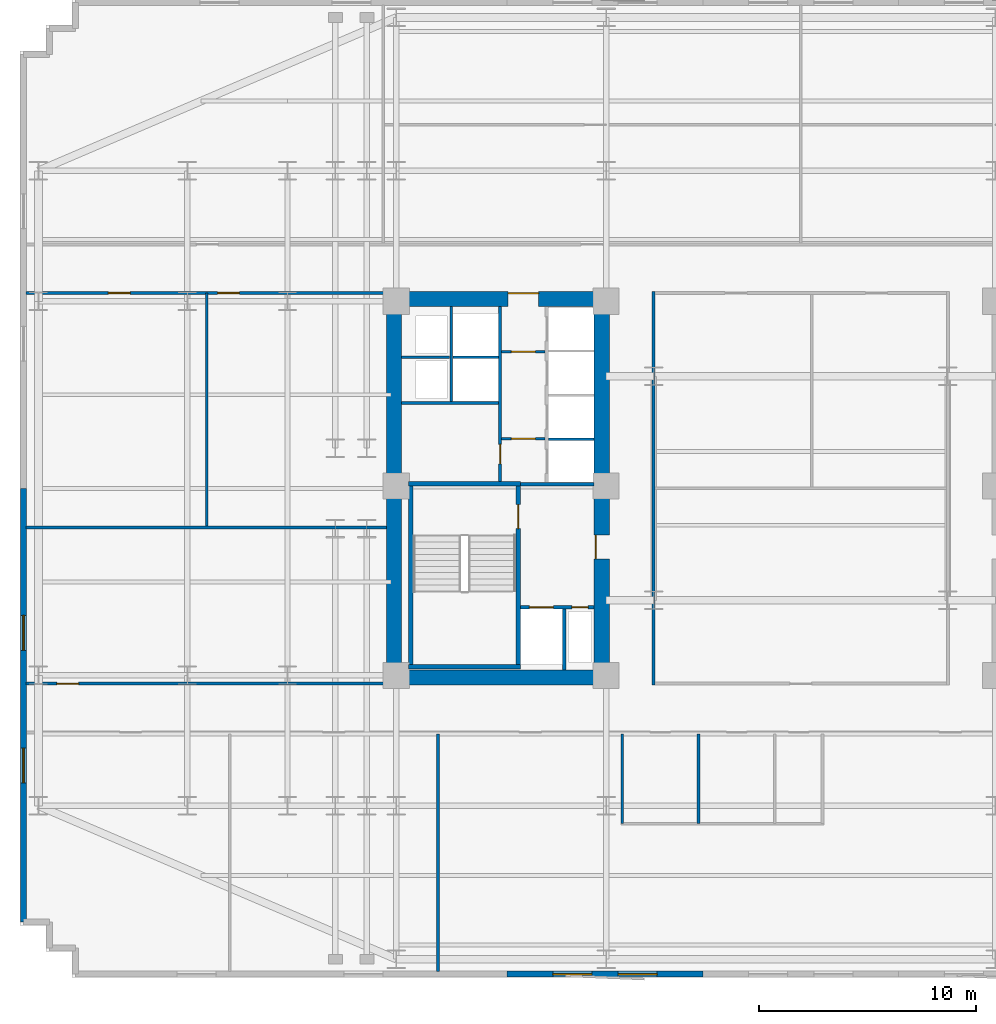
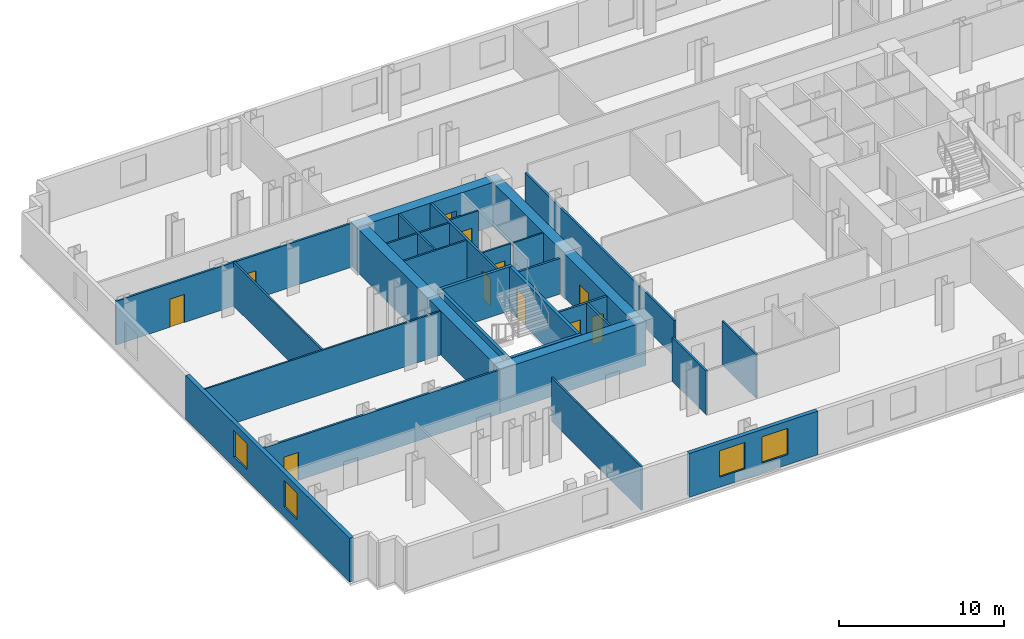
# One storey, part 4 of 10: 29 walls, 11 doors, 4 windows, 15 openings.
"""IFC4 building model written with IfcOpenShell, lengths in metres."""

from ifc_helpers import new_model, si_unit, direction, frame, frame_2d, origin, place, context, subcontext, project, spatial, rectangle, extrude, material, layer, layer_set, type_object, element, fill, save


model = new_model("IFC4")

# Units and contexts
model_context = context("Model", 3, precision=1e-05, world=origin(), true_north=direction((0.0, 1.0)))
body_context = subcontext(model_context, "Body", "Model", "MODEL_VIEW")
ifc_project = project(units=[si_unit("LENGTHUNIT", "METRE"), si_unit("AREAUNIT", "SQUARE_METRE"), si_unit("VOLUMEUNIT", "CUBIC_METRE"), si_unit("PLANEANGLEUNIT", "RADIAN"), si_unit("MASSUNIT", "GRAM", prefix="KILO")], contexts=[model_context])

# Site, building, storey
site_placement = place(None, origin())
site = spatial("IfcSite", under=ifc_project, at=site_placement, CompositionType="ELEMENT")
building_placement = place(site_placement, origin())
building = spatial("IfcBuilding", under=site, at=building_placement, Name="Velakula Bourse", CompositionType="ELEMENT")
storey_placement = place(building_placement, frame((0.0, 0.0, 51.89990234375)))
storey = spatial("IfcBuildingStorey", under=building, at=storey_placement, Name="L13", CompositionType="ELEMENT", Elevation=51.89990234375)

# Wall, opening, door
ifc_material_1 = material(Name="Concrete M50 (fck 50 MPa)", Category="concrete")
ifc_layer_1 = layer(ifc_material_1, 0.2099609375, Name="Concrete M50 (fck 50 MPa)", Category="concrete")
ifc_layer_set_1 = layer_set([ifc_layer_1], Name="Concrete M50 (fck 50 MPa)")
wall_type_1 = type_object("IfcWallType", Name="WL-CORE-210", PredefinedType="SHEAR", material=ifc_layer_set_1)
wall_1_placement = place(storey_placement, frame((-12.9951171875, -8.10009765625, 0.0), z_axis=(0.0, 0.0, 1.0), x_axis=(0.0, 1.0, 0.0)))
wall_1 = element("IfcWall", 1, at=wall_1_placement, inside=storey, type_object=wall_type_1, Name="L13 Core W Stairwell Shear Wall IN", PredefinedType="SHEAR", context=body_context, shape_type="SweptSolid", body=[
    extrude(rectangle(XDim=8.2001953125, YDim=0.2099609375, at=frame_2d((4.10009765625, 0.0))), origin(), (0.0, 0.0, 1.0), 3.27001953125),
])
opening_1_placement = place(wall_1_placement, frame((6.25, 0.0, 0.0)))
opening_1 = element("IfcOpeningElement", 2, at=opening_1_placement, cuts=wall_1, Name="Opening D-STW1", PredefinedType="OPENING", context=body_context, shape_type="SweptSolid", body=[
    extrude(rectangle(XDim=1.10009765625, YDim=2.14990234375, at=frame_2d((0.550048828125, 1.074951171875))), frame((0.0, 0.114990234375, 0.0), z_axis=(0.0, -1.0, 0.0), x_axis=(1.0, 0.0, 0.0)), (0.0, 0.0, 1.0), 0.22998046875),
])
ifc_material_2 = material(Name="Galvanised painted hollow steel fire door", Category="steel")
door_type_1 = type_object("IfcDoorType", Name="DR-FD120-1100x2150", OperationType="NOTDEFINED", PredefinedType="DOOR", material=ifc_material_2)
door_1_placement = place(opening_1_placement, origin())
door_1 = element("IfcDoor", 3, at=door_1_placement, inside=storey, type_object=door_type_1, Name="L13 Stair ST-W1 Fire Door", OperationType="SINGLE_SWING_LEFT", OverallHeight=2.14990234375, OverallWidth=1.10009765625, PredefinedType="DOOR", context=body_context, shape_type="SweptSolid", body=[
    extrude(rectangle(XDim=1.10009765625, YDim=2.14990234375, at=frame_2d((0.550048828125, 1.074951171875))), frame((0.0, 0.02490234375, 0.0), z_axis=(0.0, -1.0, 0.0), x_axis=(1.0, 0.0, 0.0)), (0.0, 0.0, 1.0), 0.050048828125),
])
fill(opening_1, door_1)

# Walls
wall_2_placement = place(storey_placement, frame((-17.925048828125, -8.10009765625, 0.0), z_axis=(0.0, 0.0, 1.0), x_axis=(0.0, 1.0, 0.0)))
element("IfcWall", 4, at=wall_2_placement, inside=storey, type_object=wall_type_1, Name="L13 Core W Stairwell Shear Wall OUT", PredefinedType="SHEAR", context=body_context, shape_type="SweptSolid", body=[
    extrude(rectangle(XDim=8.2001953125, YDim=0.2099609375, at=frame_2d((4.10009765625, 0.0))), origin(), (0.0, 0.0, 1.0), 3.27001953125),
])
for number, where, z_axis, x_axis, name in (
    (5, (-18.030029296875, -8.205078125, 0.0), (0.0, 0.0, 1.0), (1.0, 0.0, 0.0), "L13 Core W Stairwell Shear Wall S"),
    (6, (-12.889892578125, 0.205078125, 0.0), (0.0, 0.0, 1.0), (-1.0, 0.0, 0.0), "L13 Core W Stairwell Shear Wall N"),
):
    element("IfcWall", number, at=place(storey_placement, frame(where, z_axis=z_axis, x_axis=x_axis)), inside=storey, type_object=wall_type_1, Name=name, PredefinedType="SHEAR", context=body_context, shape_type="SweptSolid", body=[
        extrude(rectangle(XDim=5.14013671875, YDim=0.2099609375, at=frame_2d((2.570068359375, 0.0))), origin(), (0.0, 0.0, 1.0), 3.27001953125),
    ])
ifc_material_3 = material(Name="Concrete M70 (fck 70 MPa)", Category="concrete")
ifc_layer_2 = layer(ifc_material_3, 0.699951171875, Name="Concrete M70 (fck 70 MPa)", Category="concrete")
ifc_layer_set_2 = layer_set([ifc_layer_2], Name="Concrete M70 (fck 70 MPa)")
wall_type_2 = type_object("IfcWallType", Name="WL-CORE-700", PredefinedType="SHEAR", material=ifc_layer_set_2)
wall_3_placement = place(storey_placement, frame((-19.050048828125, -8.699951171875, 0.0), z_axis=(0.0, 0.0, 1.0), x_axis=(1.0, 0.0, 0.0)))
element("IfcWall", 7, at=wall_3_placement, inside=storey, type_object=wall_type_2, Name="L13 Core W Shear Wall S", PredefinedType="SHEAR", context=body_context, shape_type="SweptSolid", body=[
    extrude(rectangle(XDim=10.25, YDim=0.699951171875, at=frame_2d((5.125, 0.0))), origin(), (0.0, 0.0, 1.0), 3.27001953125),
])

# Wall, opening, door
wall_4_placement = place(storey_placement, frame((-19.050048828125, 8.699951171875, 0.0), z_axis=(0.0, 0.0, 1.0), x_axis=(1.0, 0.0, 0.0)))
wall_4 = element("IfcWall", 8, at=wall_4_placement, inside=storey, type_object=wall_type_2, Name="L13 Core W Shear Wall N", PredefinedType="SHEAR", context=body_context, shape_type="SweptSolid", body=[
    extrude(rectangle(XDim=10.25, YDim=0.699951171875, at=frame_2d((5.125, 0.0))), origin(), (0.0, 0.0, 1.0), 3.27001953125),
])
opening_2_placement = place(wall_4_placement, frame((5.60009765625, 0.0, 0.0)))
opening_2 = element("IfcOpeningElement", 9, at=opening_2_placement, cuts=wall_4, Name="Opening D-LLW", PredefinedType="OPENING", context=body_context, shape_type="SweptSolid", body=[
    extrude(rectangle(XDim=1.39990234375, YDim=2.050048828125, at=frame_2d((0.699951171875, 1.02490234375))), frame((0.0, 0.35986328125, 0.0), z_axis=(0.0, -1.0, 0.0), x_axis=(1.0, 0.0, 0.0)), (0.0, 0.0, 1.0), 0.719970703125),
])
ifc_material_4 = material(Name="Fire-rated hardwood flush architectural door", Category="wood")
door_type_2 = type_object("IfcDoorType", Name="DR-DBL-FD60-1400", OperationType="DOUBLE_DOOR_SINGLE_SWING", PredefinedType="DOOR", material=ifc_material_4)
door_2_placement = place(opening_2_placement, origin())
door_2 = element("IfcDoor", 10, at=door_2_placement, inside=storey, type_object=door_type_2, Name="L13 Core W Lift Lobby Corridor Double Door", OperationType="DOUBLE_DOOR_SINGLE_SWING", OverallHeight=2.050048828125, OverallWidth=1.39990234375, PredefinedType="DOOR", context=body_context, shape_type="SweptSolid", body=[
    extrude(rectangle(XDim=1.39990234375, YDim=2.050048828125, at=frame_2d((0.699951171875, 1.02490234375))), frame((0.0, 0.294921875, 0.0), z_axis=(0.0, -1.0, 0.0), x_axis=(1.0, 0.0, 0.0)), (0.0, 0.0, 1.0), 0.050048828125),
])
fill(opening_2, door_2)

# Wall
wall_5_placement = place(storey_placement, frame((-18.699951171875, -8.35009765625, 0.0), z_axis=(0.0, 0.0, 1.0), x_axis=(0.0, 1.0, 0.0)))
element("IfcWall", 11, at=wall_5_placement, inside=storey, type_object=wall_type_2, Name="L13 Core W Shear Wall W", PredefinedType="SHEAR", context=body_context, shape_type="SweptSolid", body=[
    extrude(rectangle(XDim=16.7001953125, YDim=0.699951171875, at=frame_2d((8.35009765625, 0.0))), origin(), (0.0, 0.0, 1.0), 3.27001953125),
])

# Wall, opening, door
wall_6_placement = place(storey_placement, frame((-9.14990234375, -8.35009765625, 0.0), z_axis=(0.0, 0.0, 1.0), x_axis=(0.0, 1.0, 0.0)))
wall_6 = element("IfcWall", 12, at=wall_6_placement, inside=storey, type_object=wall_type_2, Name="L13 Core W Shear Wall E", PredefinedType="SHEAR", context=body_context, shape_type="SweptSolid", body=[
    extrude(rectangle(XDim=16.7001953125, YDim=0.699951171875, at=frame_2d((8.35009765625, 0.0))), origin(), (0.0, 0.0, 1.0), 3.27001953125),
])
opening_3_placement = place(wall_6_placement, frame((5.10009765625, 0.0, 0.0)))
opening_3 = element("IfcOpeningElement", 13, at=opening_3_placement, cuts=wall_6, Name="Opening D-FLW", PredefinedType="OPENING", context=body_context, shape_type="SweptSolid", body=[
    extrude(rectangle(XDim=1.10009765625, YDim=2.080078125, at=frame_2d((0.550048828125, 1.0400390625))), frame((0.0, 0.35986328125, 0.0), z_axis=(0.0, -1.0, 0.0), x_axis=(1.0, 0.0, 0.0)), (0.0, 0.0, 1.0), 0.719970703125),
])
door_type_3 = type_object("IfcDoorType", Name="DR-FD120-1100", OperationType="NOTDEFINED", PredefinedType="DOOR", material=ifc_material_2)
door_3_placement = place(opening_3_placement, origin())
door_3 = element("IfcDoor", 14, at=door_3_placement, inside=storey, type_object=door_type_3, Name="L13 Firefighting Lobby W Corridor Fire Door", OperationType="SINGLE_SWING_LEFT", OverallHeight=2.080078125, OverallWidth=1.10009765625, PredefinedType="DOOR", context=body_context, shape_type="SweptSolid", body=[
    extrude(rectangle(XDim=1.10009765625, YDim=2.080078125, at=frame_2d((0.550048828125, 1.0400390625))), frame((0.0, 0.30517578125, 0.0), z_axis=(0.0, -1.0, 0.0), x_axis=(1.0, 0.0, 0.0)), (0.0, 0.0, 1.0), 0.050048828125),
])
fill(opening_3, door_3)

# Wall, openings, windows
ifc_material_5 = material(Name="Red kilned clay facing brick masonry", Category="masonry")
ifc_layer_3 = layer(ifc_material_5, 0.280029296875, Name="Red kilned clay facing brick masonry", Category="masonry")
ifc_layer_set_3 = layer_set([ifc_layer_3], Name="Red kilned clay facing brick masonry")
wall_type_3 = type_object("IfcWallType", Name="WL-EXT-BRK-280", PredefinedType="STANDARD", material=ifc_layer_set_3)
wall_7_placement = place(storey_placement, frame((-4.5, -22.340087890625, 0.0), z_axis=(0.0, 0.0, 1.0), x_axis=(-1.0, 0.0, 0.0)))
wall_7 = element("IfcWall", 15, at=wall_7_placement, inside=storey, type_object=wall_type_3, Name="L13 S Brick Spandrel Wall B2", PredefinedType="STANDARD", context=body_context, shape_type="SweptSolid", body=[
    extrude(rectangle(XDim=9.0, YDim=0.280029296875, at=frame_2d((4.5, 0.0))), origin(), (0.0, 0.0, 1.0), 3.25),
])
opening_4_placement = place(wall_7_placement, frame((2.10009765625, 0.0, 0.760009765625)))
opening_4 = element("IfcOpeningElement", 16, at=opening_4_placement, cuts=wall_7, Name="Opening W-01", PredefinedType="OPENING", context=body_context, shape_type="SweptSolid", body=[
    extrude(rectangle(XDim=1.800048828125, YDim=1.949951171875, at=frame_2d((0.89990234375, 0.97509765625))), frame((0.0, 0.14990234375, 0.0), z_axis=(0.0, -1.0, 0.0), x_axis=(1.0, 0.0, 0.0)), (0.0, 0.0, 1.0), 0.300048828125),
])
opening_5_placement = place(wall_7_placement, frame((5.10009765625, 0.0, 0.760009765625)))
opening_5 = element("IfcOpeningElement", 17, at=opening_5_placement, cuts=wall_7, Name="Opening W-01", PredefinedType="OPENING", context=body_context, shape_type="SweptSolid", body=[
    extrude(rectangle(XDim=1.800048828125, YDim=1.949951171875, at=frame_2d((0.89990234375, 0.97509765625))), frame((0.0, 0.14990234375, 0.0), z_axis=(0.0, -1.0, 0.0), x_axis=(1.0, 0.0, 0.0)), (0.0, 0.0, 1.0), 0.300048828125),
])
ifc_material_6 = material(Name="Double-glazed solar-control Low-E glass", Category="glass")
window_type_1 = type_object("IfcWindowType", Name="WIN-TWR-1800x2100", PartitioningType="SINGLE_PANEL", PredefinedType="WINDOW", material=ifc_material_6)
window_1_placement = place(opening_4_placement, origin())
window_1 = element("IfcWindow", 18, at=window_1_placement, inside=storey, type_object=window_type_1, Name="L13 Deep-Set Recessed Window 1", OverallHeight=1.949951171875, OverallWidth=1.800048828125, PartitioningType="SINGLE_PANEL", PredefinedType="WINDOW", context=body_context, shape_type="SweptSolid", body=[
    extrude(rectangle(XDim=1.800048828125, YDim=1.949951171875, at=frame_2d((0.89990234375, 0.97509765625))), frame((0.0, 0.030029296875, 0.0), z_axis=(0.0, -1.0, 0.0), x_axis=(1.0, 0.0, 0.0)), (0.0, 0.0, 1.0), 0.06005859375),
])
fill(opening_4, window_1)
window_2_placement = place(opening_5_placement, origin())
window_2 = element("IfcWindow", 19, at=window_2_placement, inside=storey, type_object=window_type_1, Name="L13 Deep-Set Recessed Window 2", OverallHeight=1.949951171875, OverallWidth=1.800048828125, PartitioningType="SINGLE_PANEL", PredefinedType="WINDOW", context=body_context, shape_type="SweptSolid", body=[
    extrude(rectangle(XDim=1.800048828125, YDim=1.949951171875, at=frame_2d((0.89990234375, 0.97509765625))), frame((0.0, 0.030029296875, 0.0), z_axis=(0.0, -1.0, 0.0), x_axis=(1.0, 0.0, 0.0)), (0.0, 0.0, 1.0), 0.06005859375),
])
fill(opening_5, window_2)

wall_8_placement = place(storey_placement, frame((-35.739990234375, -19.93994140625, 0.0), z_axis=(0.0, 0.0, 1.0), x_axis=(0.0, 1.0, 0.0)))
wall_8 = element("IfcWall", 20, at=wall_8_placement, inside=storey, type_object=wall_type_3, Name="L13 W Brick End Wall W1", PredefinedType="STANDARD", context=body_context, shape_type="SweptSolid", body=[
    extrude(rectangle(XDim=19.93994140625, YDim=0.280029296875, at=frame_2d((9.969970703125, 0.0))), origin(), (0.0, 0.0, 1.0), 3.25),
])
opening_6_placement = place(wall_8_placement, frame((6.396728515625, 0.0, 0.760009765625)))
opening_6 = element("IfcOpeningElement", 21, at=opening_6_placement, cuts=wall_8, Name="Opening W-02", PredefinedType="OPENING", context=body_context, shape_type="SweptSolid", body=[
    extrude(rectangle(XDim=1.60009765625, YDim=1.949951171875, at=frame_2d((0.800048828125, 0.97509765625))), frame((0.0, 0.14990234375, 0.0), z_axis=(0.0, -1.0, 0.0), x_axis=(1.0, 0.0, 0.0)), (0.0, 0.0, 1.0), 0.300048828125),
])
opening_7_placement = place(wall_8_placement, frame((12.493408203125, 0.0, 0.760009765625)))
opening_7 = element("IfcOpeningElement", 22, at=opening_7_placement, cuts=wall_8, Name="Opening W-02", PredefinedType="OPENING", context=body_context, shape_type="SweptSolid", body=[
    extrude(rectangle(XDim=1.60009765625, YDim=1.949951171875, at=frame_2d((0.800048828125, 0.97509765625))), frame((0.0, 0.14990234375, 0.0), z_axis=(0.0, -1.0, 0.0), x_axis=(1.0, 0.0, 0.0)), (0.0, 0.0, 1.0), 0.300048828125),
])
window_type_2 = type_object("IfcWindowType", Name="WIN-TWR-1600x2100", PartitioningType="SINGLE_PANEL", PredefinedType="WINDOW", material=ifc_material_6)
window_3_placement = place(opening_6_placement, origin())
window_3 = element("IfcWindow", 23, at=window_3_placement, inside=storey, type_object=window_type_2, Name="L13 Deep-Set Recessed Window 1", OverallHeight=1.949951171875, OverallWidth=1.60009765625, PartitioningType="SINGLE_PANEL", PredefinedType="WINDOW", context=body_context, shape_type="SweptSolid", body=[
    extrude(rectangle(XDim=1.60009765625, YDim=1.949951171875, at=frame_2d((0.800048828125, 0.97509765625))), frame((0.0, 0.030029296875, 0.0), z_axis=(0.0, -1.0, 0.0), x_axis=(1.0, 0.0, 0.0)), (0.0, 0.0, 1.0), 0.06005859375),
])
fill(opening_6, window_3)
window_4_placement = place(opening_7_placement, origin())
window_4 = element("IfcWindow", 24, at=window_4_placement, inside=storey, type_object=window_type_2, Name="L13 Deep-Set Recessed Window 2", OverallHeight=1.949951171875, OverallWidth=1.60009765625, PartitioningType="SINGLE_PANEL", PredefinedType="WINDOW", context=body_context, shape_type="SweptSolid", body=[
    extrude(rectangle(XDim=1.60009765625, YDim=1.949951171875, at=frame_2d((0.800048828125, 0.97509765625))), frame((0.0, 0.030029296875, 0.0), z_axis=(0.0, -1.0, 0.0), x_axis=(1.0, 0.0, 0.0)), (0.0, 0.0, 1.0), 0.06005859375),
])
fill(opening_7, window_4)

# Wall, opening, door
ifc_material_7 = material(Name="Fire-rated double-layer gypsum drywall partition", Category="gypsum")
ifc_layer_4 = layer(ifc_material_7, 0.1201171875, Name="Fire-rated double-layer gypsum drywall partition", Category="gypsum")
ifc_layer_set_4 = layer_set([ifc_layer_4], Name="Fire-rated double-layer gypsum drywall partition")
wall_type_4 = type_object("IfcWallType", Name="WL-PART-120", PredefinedType="STANDARD", material=ifc_layer_set_4)
wall_9_placement = place(storey_placement, frame((-13.75, 2.280029296875, 0.0), z_axis=(0.0, 0.0, 1.0), x_axis=(1.0, 0.0, 0.0)))
wall_9 = element("IfcWall", 25, at=wall_9_placement, inside=storey, type_object=wall_type_4, Name="L13 Interior Partition WL-CRW-L13-LL-K3A", PredefinedType="STANDARD", context=body_context, shape_type="SweptSolid", body=[
    extrude(rectangle(XDim=2.0, YDim=0.1201171875, at=frame_2d((1.0, 0.0))), origin(), (0.0, 0.0, 1.0), 3.25),
])
opening_8_placement = place(wall_9_placement, frame((0.449951171875, 0.0, 0.0)))
opening_8 = element("IfcOpeningElement", 26, at=opening_8_placement, cuts=wall_9, Name="Opening D-LK3", PredefinedType="OPENING", context=body_context, shape_type="SweptSolid", body=[
    extrude(rectangle(XDim=1.10009765625, YDim=2.10009765625, at=frame_2d((0.550048828125, 1.050048828125))), frame((0.0, 0.070068359375, 0.0), z_axis=(0.0, -1.0, 0.0), x_axis=(1.0, 0.0, 0.0)), (0.0, 0.0, 1.0), 0.14013671875),
])
door_type_4 = type_object("IfcDoorType", Name="DR-FD60-1100x2100", OperationType="NOTDEFINED", PredefinedType="DOOR", material=ifc_material_4)
door_4_placement = place(opening_8_placement, origin())
door_4 = element("IfcDoor", 27, at=door_4_placement, inside=storey, type_object=door_type_4, Name="L13 Core W Lift Lobby Vestibule Door A", OperationType="SINGLE_SWING_RIGHT", OverallHeight=2.10009765625, OverallWidth=1.10009765625, PredefinedType="DOOR", context=body_context, shape_type="SweptSolid", body=[
    extrude(rectangle(XDim=1.10009765625, YDim=2.10009765625, at=frame_2d((0.550048828125, 1.050048828125))), frame((0.0, 0.02490234375, 0.0), z_axis=(0.0, -1.0, 0.0), x_axis=(1.0, 0.0, 0.0)), (0.0, 0.0, 1.0), 0.050048828125),
])
fill(opening_8, door_4)

wall_10_placement = place(storey_placement, frame((-13.75, 6.280029296875, 0.0), z_axis=(0.0, 0.0, 1.0), x_axis=(1.0, 0.0, 0.0)))
wall_10 = element("IfcWall", 28, at=wall_10_placement, inside=storey, type_object=wall_type_4, Name="L13 Interior Partition WL-CRW-L13-LL-K3B", PredefinedType="STANDARD", context=body_context, shape_type="SweptSolid", body=[
    extrude(rectangle(XDim=2.0, YDim=0.1201171875, at=frame_2d((1.0, 0.0))), origin(), (0.0, 0.0, 1.0), 3.25),
])
opening_9_placement = place(wall_10_placement, frame((0.449951171875, 0.0, 0.0)))
opening_9 = element("IfcOpeningElement", 29, at=opening_9_placement, cuts=wall_10, Name="Opening D-LK3", PredefinedType="OPENING", context=body_context, shape_type="SweptSolid", body=[
    extrude(rectangle(XDim=1.10009765625, YDim=2.10009765625, at=frame_2d((0.550048828125, 1.050048828125))), frame((0.0, 0.070068359375, 0.0), z_axis=(0.0, -1.0, 0.0), x_axis=(1.0, 0.0, 0.0)), (0.0, 0.0, 1.0), 0.14013671875),
])
door_5_placement = place(opening_9_placement, origin())
door_5 = element("IfcDoor", 30, at=door_5_placement, inside=storey, type_object=door_type_4, Name="L13 Core W Lift Lobby Vestibule Door B", OperationType="SINGLE_SWING_RIGHT", OverallHeight=2.10009765625, OverallWidth=1.10009765625, PredefinedType="DOOR", context=body_context, shape_type="SweptSolid", body=[
    extrude(rectangle(XDim=1.10009765625, YDim=2.10009765625, at=frame_2d((0.550048828125, 1.050048828125))), frame((0.0, 0.02490234375, 0.0), z_axis=(0.0, -1.0, 0.0), x_axis=(1.0, 0.0, 0.0)), (0.0, 0.0, 1.0), 0.050048828125),
])
fill(opening_9, door_5)

# Walls
wall_11_placement = place(storey_placement, frame((-11.60009765625, 2.2548828125, 0.0), z_axis=(0.0, 0.0, 1.0), x_axis=(1.0, 0.0, 0.0)))
element("IfcWall", 31, at=wall_11_placement, inside=storey, type_object=wall_type_4, Name="L13 Interior Partition WL-CRW-L13-BDIV-0", PredefinedType="STANDARD", context=body_context, shape_type="SweptSolid", body=[
    extrude(rectangle(XDim=2.10009765625, YDim=0.110107421875, at=frame_2d((1.050048828125, 0.0))), origin(), (0.0, 0.0, 1.0), 3.25),
])
wall_12_placement = place(storey_placement, frame((-18.35009765625, 3.919921875, 0.0), z_axis=(0.0, 0.0, 1.0), x_axis=(1.0, 0.0, 0.0)))
element("IfcWall", 32, at=wall_12_placement, inside=storey, type_object=wall_type_4, Name="L13 Interior Partition WL-CRW-L13-HI-S", PredefinedType="STANDARD", context=body_context, shape_type="SweptSolid", body=[
    extrude(rectangle(XDim=4.4501953125, YDim=0.1201171875, at=frame_2d((2.22509765625, 0.0))), origin(), (0.0, 0.0, 1.0), 3.25),
])
wall_13_placement = place(storey_placement, frame((-18.35009765625, 6.030029296875, 0.0), z_axis=(0.0, 0.0, 1.0), x_axis=(1.0, 0.0, 0.0)))
element("IfcWall", 33, at=wall_13_placement, inside=storey, type_object=wall_type_4, Name="L13 Interior Partition WL-CRW-L13-RIS-MID", PredefinedType="STANDARD", context=body_context, shape_type="SweptSolid", body=[
    extrude(rectangle(XDim=2.2001953125, YDim=0.1201171875, at=frame_2d((1.10009765625, 0.0))), origin(), (0.0, 0.0, 1.0), 3.25),
])
wall_14_placement = place(storey_placement, frame((-16.074951171875, 3.97998046875, 0.0), z_axis=(0.0, 0.0, 1.0), x_axis=(0.0, 1.0, 0.0)))
element("IfcWall", 34, at=wall_14_placement, inside=storey, type_object=wall_type_4, Name="L13 Interior Partition WL-CRW-L13-RIS-F", PredefinedType="STANDARD", context=body_context, shape_type="SweptSolid", body=[
    extrude(rectangle(XDim=4.3701171875, YDim=0.1201171875, at=frame_2d((2.18505859375, 0.0))), origin(), (0.0, 0.0, 1.0), 3.25),
])
wall_15_placement = place(storey_placement, frame((-16.0, 6.030029296875, 0.0), z_axis=(0.0, 0.0, 1.0), x_axis=(1.0, 0.0, 0.0)))
element("IfcWall", 35, at=wall_15_placement, inside=storey, type_object=wall_type_4, Name="L13 Interior Partition WL-CRW-L13-HI-DIV", PredefinedType="STANDARD", context=body_context, shape_type="SweptSolid", body=[
    extrude(rectangle(XDim=2.10009765625, YDim=0.1201171875, at=frame_2d((1.050048828125, 0.0))), origin(), (0.0, 0.0, 1.0), 3.25),
])
for number, where, z_axis, x_axis, name in (
    (36, (-8.199951171875, -15.419921875, 0.0), (0.0, 0.0, 1.0), (0.0, 1.0, 0.0), "L13 Interior Partition WL-WC-L13-V1"),
    (37, (-4.699951171875, -15.419921875, 0.0), (0.0, 0.0, 1.0), (0.0, 1.0, 0.0), "L13 Interior Partition WL-WC-L13-V2"),
):
    element("IfcWall", number, at=place(storey_placement, frame(where, z_axis=z_axis, x_axis=x_axis)), inside=storey, type_object=wall_type_4, Name=name, PredefinedType="STANDARD", context=body_context, shape_type="SweptSolid", body=[
        extrude(rectangle(XDim=4.1298828125, YDim=0.1201171875, at=frame_2d((2.06494140625, 0.0))), origin(), (0.0, 0.0, 1.0), 3.25),
    ])
wall_16_placement = place(storey_placement, frame((-16.681884765625, -22.219970703125, 0.0), z_axis=(0.0, 0.0, 1.0), x_axis=(0.0, 1.0, 0.0)))
element("IfcWall", 38, at=wall_16_placement, inside=storey, type_object=wall_type_4, Name="L13 Interior Partition WL-INT-L13-SL-D6", PredefinedType="STANDARD", context=body_context, shape_type="SweptSolid", body=[
    extrude(rectangle(XDim=10.929931640625, YDim=0.1201171875, at=frame_2d((5.46484375, 0.0))), origin(), (0.0, 0.0, 1.0), 3.25),
])
wall_17_placement = place(storey_placement, frame((-35.6201171875, -1.800048828125, 0.0), z_axis=(0.0, 0.0, 1.0), x_axis=(1.0, 0.0, 0.0)))
element("IfcWall", 39, at=wall_17_placement, inside=storey, type_object=wall_type_4, Name="L13 Interior Partition WL-INT-L13-W-H", PredefinedType="STANDARD", context=body_context, shape_type="SweptSolid", body=[
    extrude(rectangle(XDim=16.570068359375, YDim=0.1201171875, at=frame_2d((8.28515625, 0.0))), origin(), (0.0, 0.0, 1.0), 3.25),
])
wall_18_placement = place(storey_placement, frame((-27.304931640625, -1.739990234375, 0.0), z_axis=(0.0, 0.0, 1.0), x_axis=(0.0, 1.0, 0.0)))
element("IfcWall", 40, at=wall_18_placement, inside=storey, type_object=wall_type_4, Name="L13 Interior Partition WL-INT-L13-W-VN", PredefinedType="STANDARD", context=body_context, shape_type="SweptSolid", body=[
    extrude(rectangle(XDim=10.719970703125, YDim=0.1201171875, at=frame_2d((5.35986328125, 0.0))), origin(), (0.0, 0.0, 1.0), 3.25),
])

# Wall, openings, doors
ifc_layer_5 = layer(ifc_material_7, 0.139892578125, Name="Fire-rated double-layer gypsum drywall partition", Category="gypsum")
ifc_layer_set_5 = layer_set([ifc_layer_5], Name="Fire-rated double-layer gypsum drywall partition")
wall_type_5 = type_object("IfcWallType", Name="WL-PART-140", PredefinedType="STANDARD", material=ifc_layer_set_5)
wall_19_placement = place(storey_placement, frame((-35.6201171875, 8.97998046875, 0.0), z_axis=(0.0, 0.0, 1.0), x_axis=(1.0, 0.0, 0.0)))
wall_19 = element("IfcWall", 41, at=wall_19_placement, inside=storey, type_object=wall_type_5, Name="L13 Interior Partition WL-INT-L13-W-NC", PredefinedType="STANDARD", context=body_context, shape_type="SweptSolid", body=[
    extrude(rectangle(XDim=16.570068359375, YDim=0.139892578125, at=frame_2d((8.28515625, 0.0))), origin(), (0.0, 0.0, 1.0), 3.25),
])
opening_10_placement = place(wall_19_placement, frame((3.78759765625, 0.0, 0.0)))
opening_10 = element("IfcOpeningElement", 42, at=opening_10_placement, cuts=wall_19, Name="Opening D-OF1", PredefinedType="OPENING", context=body_context, shape_type="SweptSolid", body=[
    extrude(rectangle(XDim=1.0, YDim=2.080078125, at=frame_2d((0.5, 1.0400390625))), frame((0.0, 0.079833984375, 0.0), z_axis=(0.0, -1.0, 0.0), x_axis=(1.0, 0.0, 0.0)), (0.0, 0.0, 1.0), 0.159912109375),
])
opening_11_placement = place(wall_19_placement, frame((8.8046875, 0.0, 0.0)))
opening_11 = element("IfcOpeningElement", 43, at=opening_11_placement, cuts=wall_19, Name="Opening D-OF1", PredefinedType="OPENING", context=body_context, shape_type="SweptSolid", body=[
    extrude(rectangle(XDim=1.0, YDim=2.080078125, at=frame_2d((0.5, 1.0400390625))), frame((0.0, 0.079833984375, 0.0), z_axis=(0.0, -1.0, 0.0), x_axis=(1.0, 0.0, 0.0)), (0.0, 0.0, 1.0), 0.159912109375),
])
door_type_5 = type_object("IfcDoorType", Name="DR-OFF-1000", OperationType="NOTDEFINED", PredefinedType="DOOR", material=ifc_material_4)
door_6_placement = place(opening_10_placement, origin())
door_6 = element("IfcDoor", 44, at=door_6_placement, inside=storey, type_object=door_type_5, Name="L13 Asset Allocation Office Door", OperationType="SINGLE_SWING_RIGHT", OverallHeight=2.080078125, OverallWidth=1.0, PredefinedType="DOOR", context=body_context, shape_type="SweptSolid", body=[
    extrude(rectangle(XDim=1.0, YDim=2.080078125, at=frame_2d((0.5, 1.0400390625))), frame((0.0, 0.02490234375, 0.0), z_axis=(0.0, -1.0, 0.0), x_axis=(1.0, 0.0, 0.0)), (0.0, 0.0, 1.0), 0.050048828125),
])
fill(opening_10, door_6)
door_7_placement = place(opening_11_placement, origin())
door_7 = element("IfcDoor", 45, at=door_7_placement, inside=storey, type_object=door_type_5, Name="L13 Peer Review Boardroom Door", OperationType="SINGLE_SWING_LEFT", OverallHeight=2.080078125, OverallWidth=1.0, PredefinedType="DOOR", context=body_context, shape_type="SweptSolid", body=[
    extrude(rectangle(XDim=1.0, YDim=2.080078125, at=frame_2d((0.5, 1.0400390625))), frame((0.0, 0.02490234375, 0.0), z_axis=(0.0, -1.0, 0.0), x_axis=(1.0, 0.0, 0.0)), (0.0, 0.0, 1.0), 0.050048828125),
])
fill(opening_11, door_7)

# Wall, opening, door
wall_20_placement = place(storey_placement, frame((-35.6201171875, -8.97998046875, 0.0), z_axis=(0.0, 0.0, 1.0), x_axis=(1.0, 0.0, 0.0)))
wall_20 = element("IfcWall", 46, at=wall_20_placement, inside=storey, type_object=wall_type_5, Name="L13 Interior Partition WL-INT-L13-W-SC", PredefinedType="STANDARD", context=body_context, shape_type="SweptSolid", body=[
    extrude(rectangle(XDim=16.570068359375, YDim=0.139892578125, at=frame_2d((8.28515625, 0.0))), origin(), (0.0, 0.0, 1.0), 3.25),
])
opening_12_placement = place(wall_20_placement, frame((1.417724609375, 0.0, 0.0)))
opening_12 = element("IfcOpeningElement", 47, at=opening_12_placement, cuts=wall_20, Name="Opening D-OF1", PredefinedType="OPENING", context=body_context, shape_type="SweptSolid", body=[
    extrude(rectangle(XDim=1.0, YDim=2.080078125, at=frame_2d((0.5, 1.0400390625))), frame((0.0, 0.079833984375, 0.0), z_axis=(0.0, -1.0, 0.0), x_axis=(1.0, 0.0, 0.0)), (0.0, 0.0, 1.0), 0.159912109375),
])
door_8_placement = place(opening_12_placement, origin())
door_8 = element("IfcDoor", 48, at=door_8_placement, inside=storey, type_object=door_type_5, Name="L13 Asset Allocation Office Door", OperationType="SINGLE_SWING_RIGHT", OverallHeight=2.080078125, OverallWidth=1.0, PredefinedType="DOOR", context=body_context, shape_type="SweptSolid", body=[
    extrude(rectangle(XDim=1.0, YDim=2.080078125, at=frame_2d((0.5, 1.0400390625))), frame((0.0, 0.02490234375, 0.0), z_axis=(0.0, -1.0, 0.0), x_axis=(1.0, 0.0, 0.0)), (0.0, 0.0, 1.0), 0.050048828125),
])
fill(opening_12, door_8)

# Wall
wall_21_placement = place(storey_placement, frame((-6.780029296875, -9.050048828125, 0.0), z_axis=(0.0, 0.0, 1.0), x_axis=(0.0, 1.0, 0.0)))
element("IfcWall", 49, at=wall_21_placement, inside=storey, type_object=wall_type_5, Name="L13 Interior Partition WL-INT-L13-MID-W", PredefinedType="STANDARD", context=body_context, shape_type="SweptSolid", body=[
    extrude(rectangle(XDim=18.10009765625, YDim=0.139892578125, at=frame_2d((9.050048828125, 0.0))), origin(), (0.0, 0.0, 1.0), 2.64501953125),
])

# Wall, openings, doors
ifc_material_8 = material(Name="Autoclaved aerated concrete blockwork masonry", Category="masonry")
ifc_layer_6 = layer(ifc_material_8, 0.14990234375, Name="Autoclaved aerated concrete blockwork masonry", Category="masonry")
ifc_layer_set_6 = layer_set([ifc_layer_6], Name="Autoclaved aerated concrete blockwork masonry")
wall_type_6 = type_object("IfcWallType", Name="WL-SHAFT-150", PredefinedType="STANDARD", material=ifc_layer_set_6)
wall_22_placement = place(storey_placement, frame((-12.89501953125, -5.47509765625, 0.0), z_axis=(0.0, 0.0, 1.0), x_axis=(1.0, 0.0, 0.0)))
wall_22 = element("IfcWall", 50, at=wall_22_placement, inside=storey, type_object=wall_type_6, Name="L13 Interior Partition WL-CRW-L13-FFL-N", PredefinedType="STANDARD", context=body_context, shape_type="SweptSolid", body=[
    extrude(rectangle(XDim=3.39501953125, YDim=0.14990234375, at=frame_2d((1.697509765625, 0.0))), origin(), (0.0, 0.0, 1.0), 3.25),
])
opening_13_placement = place(wall_22_placement, frame((0.419921875, 0.0, 0.0)))
opening_13 = element("IfcOpeningElement", 51, at=opening_13_placement, cuts=wall_22, Name="Opening LD-FFL-1", PredefinedType="OPENING", context=body_context, shape_type="SweptSolid", body=[
    extrude(rectangle(XDim=1.10009765625, YDim=2.14990234375, at=frame_2d((0.550048828125, 1.074951171875))), frame((0.0, 0.0849609375, 0.0), z_axis=(0.0, -1.0, 0.0), x_axis=(1.0, 0.0, 0.0)), (0.0, 0.0, 1.0), 0.169921875),
])
opening_14_placement = place(wall_22_placement, frame((2.3701171875, 0.0, 0.0)))
opening_14 = element("IfcOpeningElement", 52, at=opening_14_placement, cuts=wall_22, Name="Opening D-RS1", PredefinedType="OPENING", context=body_context, shape_type="SweptSolid", body=[
    extrude(rectangle(XDim=0.75, YDim=2.050048828125, at=frame_2d((0.375, 1.02490234375))), frame((0.0, 0.0849609375, 0.0), z_axis=(0.0, -1.0, 0.0), x_axis=(1.0, 0.0, 0.0)), (0.0, 0.0, 1.0), 0.169921875),
])
door_type_6 = type_object("IfcDoorType", Name="DR-RISER-800", OperationType="NOTDEFINED", PredefinedType="DOOR", material=ifc_material_2)
door_9_placement = place(opening_14_placement, origin())
door_9 = element("IfcDoor", 53, at=door_9_placement, inside=storey, type_object=door_type_6, Name="L13 Fire Riser Access Door", OperationType="SINGLE_SWING_RIGHT", OverallHeight=2.050048828125, OverallWidth=0.75, PredefinedType="DOOR", context=body_context, shape_type="SweptSolid", body=[
    extrude(rectangle(XDim=0.75, YDim=2.050048828125, at=frame_2d((0.375, 1.02490234375))), frame((0.0, 0.02490234375, 0.0), z_axis=(0.0, -1.0, 0.0), x_axis=(1.0, 0.0, 0.0)), (0.0, 0.0, 1.0), 0.050048828125),
])
fill(opening_14, door_9)
ifc_material_9 = material(Name="Brushed grade 316 stainless steel", Category="steel")
door_type_7 = type_object("IfcDoorType", Name="DR-SLIDE-FFL-1100", OperationType="DOUBLE_DOOR_SLIDING", PredefinedType="DOOR", material=ifc_material_9)
door_10_placement = place(opening_13_placement, origin())
door_10 = element("IfcDoor", 54, at=door_10_placement, inside=storey, type_object=door_type_7, Name="L13 Firefighting Lift FFL-1 Sliding Landing Door", OperationType="DOUBLE_DOOR_SLIDING", OverallHeight=2.14990234375, OverallWidth=1.10009765625, PredefinedType="DOOR", context=body_context, shape_type="SweptSolid", body=[
    extrude(rectangle(XDim=1.10009765625, YDim=2.14990234375, at=frame_2d((0.550048828125, 1.074951171875))), frame((0.0, 0.02490234375, 0.0), z_axis=(0.0, -1.0, 0.0), x_axis=(1.0, 0.0, 0.0)), (0.0, 0.0, 1.0), 0.050048828125),
])
fill(opening_13, door_10)

# Walls
wall_23_placement = place(storey_placement, frame((-10.875, -8.35009765625, 0.0), z_axis=(0.0, 0.0, 1.0), x_axis=(0.0, 1.0, 0.0)))
element("IfcWall", 55, at=wall_23_placement, inside=storey, type_object=wall_type_6, Name="L13 Interior Partition WL-CRW-L13-FR-DIV", PredefinedType="STANDARD", context=body_context, shape_type="SweptSolid", body=[
    extrude(rectangle(XDim=2.800048828125, YDim=0.14990234375, at=frame_2d((1.39990234375, 0.0))), origin(), (0.0, 0.0, 1.0), 3.25),
])
wall_24_placement = place(storey_placement, frame((-12.889892578125, 0.18994140625, 0.0), z_axis=(0.0, 0.0, 1.0), x_axis=(1.0, 0.0, 0.0)))
element("IfcWall", 56, at=wall_24_placement, inside=storey, type_object=wall_type_6, Name="L13 Interior Partition WL-CRW-L13-FF-TOP", PredefinedType="STANDARD", context=body_context, shape_type="SweptSolid", body=[
    extrude(rectangle(XDim=3.389892578125, YDim=0.14990234375, at=frame_2d((1.69482421875, 0.0))), origin(), (0.0, 0.0, 1.0), 2.64501953125),
])

# Wall, opening, door
wall_25_placement = place(storey_placement, frame((-13.824951171875, 0.27001953125, 0.0), z_axis=(0.0, 0.0, 1.0), x_axis=(0.0, 1.0, 0.0)))
wall_25 = element("IfcWall", 57, at=wall_25_placement, inside=storey, type_object=wall_type_6, Name="L13 Interior Partition WL-CRW-L13-OUT-F", PredefinedType="STANDARD", context=body_context, shape_type="SweptSolid", body=[
    extrude(rectangle(XDim=8.080078125, YDim=0.14990234375, at=frame_2d((4.0400390625, 0.0))), origin(), (0.0, 0.0, 1.0), 3.25),
])
opening_15_placement = place(wall_25_placement, frame((0.85009765625, 0.0, 0.0)))
opening_15 = element("IfcOpeningElement", 58, at=opening_15_placement, cuts=wall_25, Name="Opening D-CR3", PredefinedType="OPENING", context=body_context, shape_type="SweptSolid", body=[
    extrude(rectangle(XDim=0.89990234375, YDim=2.050048828125, at=frame_2d((0.449951171875, 1.02490234375))), frame((0.0, 0.0849609375, 0.0), z_axis=(0.0, -1.0, 0.0), x_axis=(1.0, 0.0, 0.0)), (0.0, 0.0, 1.0), 0.169921875),
])
door_type_8 = type_object("IfcDoorType", Name="DR-INT-900", OperationType="NOTDEFINED", PredefinedType="DOOR", material=ifc_material_4)
door_11_placement = place(opening_15_placement, origin())
door_11 = element("IfcDoor", 59, at=door_11_placement, inside=storey, type_object=door_type_8, Name="L13 Core Stationery and Mail Room Door", OperationType="SINGLE_SWING_RIGHT", OverallHeight=2.050048828125, OverallWidth=0.89990234375, PredefinedType="DOOR", context=body_context, shape_type="SweptSolid", body=[
    extrude(rectangle(XDim=0.89990234375, YDim=2.050048828125, at=frame_2d((0.449951171875, 1.02490234375))), frame((0.0, 0.02490234375, 0.0), z_axis=(0.0, -1.0, 0.0), x_axis=(1.0, 0.0, 0.0)), (0.0, 0.0, 1.0), 0.050048828125),
])
fill(opening_15, door_11)

save(model, "model.ifc")
